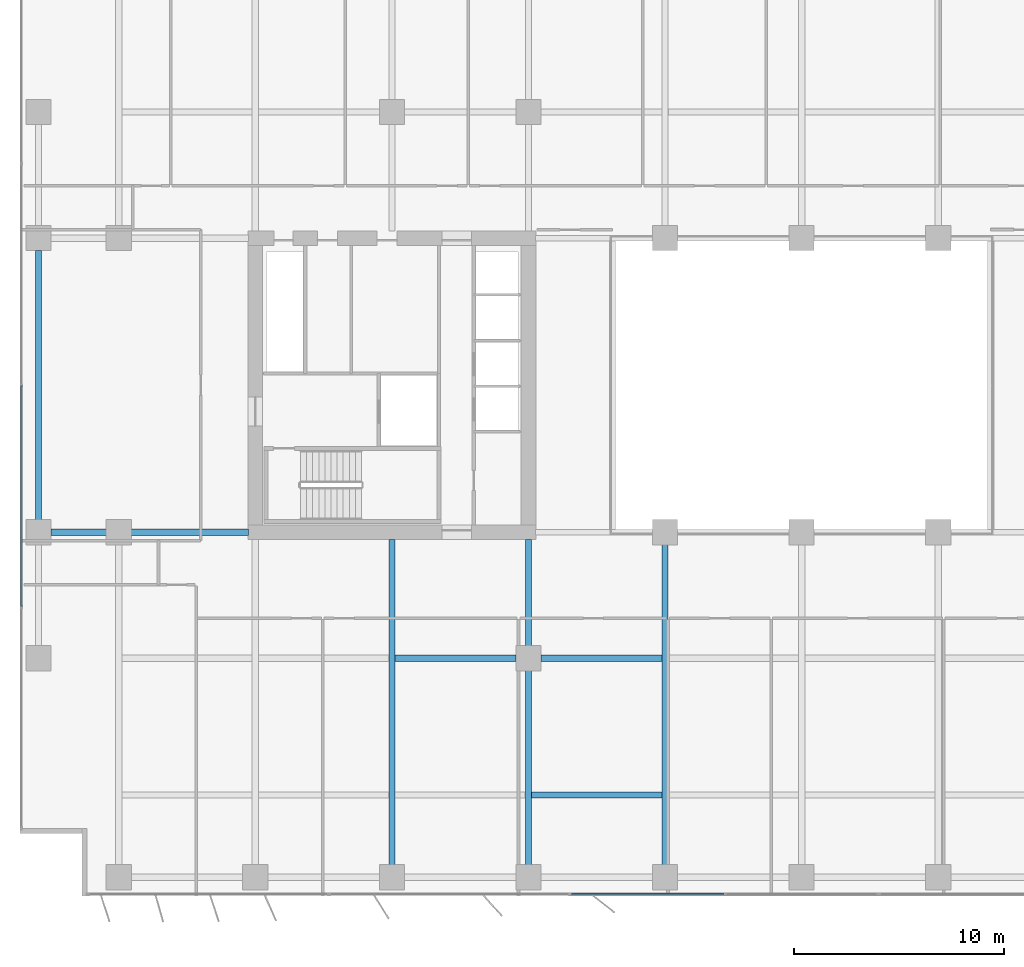
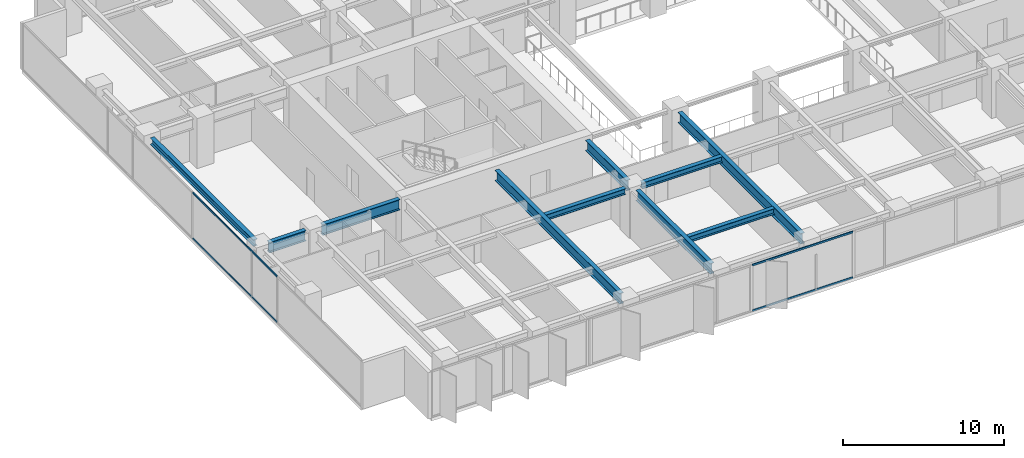
# One storey, part 3 of 20: 10 beams, 4 members, 2 elements without a shape of their own.
"""IFC4 building model written with IfcOpenShell, lengths in metres."""

from ifc_helpers import new_model, si_unit, direction, frame, origin, origin_2d, place, context, subcontext, project, spatial, rectangle, i_section, extrude, material, layer, layer_set, material_profile, profile_set, type_object, element, aggregate, save


model = new_model("IFC4")

# Units and contexts
model_context = context("Model", 3, precision=1e-05, world=origin(), true_north=direction((0.0, 1.0)))
body_context = subcontext(model_context, "Body", "Model", "MODEL_VIEW")
ifc_project = project(units=[si_unit("LENGTHUNIT", "METRE"), si_unit("AREAUNIT", "SQUARE_METRE"), si_unit("VOLUMEUNIT", "CUBIC_METRE"), si_unit("PLANEANGLEUNIT", "RADIAN"), si_unit("MASSUNIT", "GRAM", prefix="KILO")], contexts=[model_context])

# Site, building, storey
site_placement = place(None, origin())
site = spatial("IfcSite", under=ifc_project, at=site_placement, CompositionType="ELEMENT")
building_placement = place(site_placement, origin())
building = spatial("IfcBuilding", under=site, at=building_placement, Name="Putna Gate Headquarters", CompositionType="ELEMENT")
storey_placement = place(building_placement, frame((0.0, 0.0, 135.39990234375)))
storey = spatial("IfcBuildingStorey", under=building, at=storey_placement, Name="L33", CompositionType="ELEMENT", Elevation=135.39990234375)

# Beams
ifc_material_1 = material(Name="Steel S355J2", Category="steel")
ifc_material_profile_1 = material_profile(ifc_material_1, i_section(OverallWidth=0.300048828125, OverallDepth=0.800048828125, WebThickness=0.017578125, FlangeThickness=0.032958984375, at=origin_2d()), Name="Steel S355J2")
ifc_profile_set_1 = profile_set([ifc_material_profile_1], Name="Steel S355J2")
beam_type_1 = type_object("IfcBeamType", Name="BM-GIRD-P-HEB800", PredefinedType="USERDEFINED", material=ifc_profile_set_1)
beam_1_placement = place(storey_placement, frame((3.26806640625, 19.0, 3.1201171875), z_axis=(1.0, 0.0, 0.0), x_axis=(0.0, 1.0, 0.0)))
element("IfcBeam", 1, at=beam_1_placement, inside=storey, type_object=beam_type_1, Name="L33 West Wing Girder Y19-1", ObjectType="GIRDER", PredefinedType="USERDEFINED", context=body_context, shape_type="SweptSolid", body=[
    extrude(i_section(OverallWidth=0.300048828125, OverallDepth=0.800048828125, WebThickness=0.017578125, FlangeThickness=0.032958984375, at=origin_2d()), origin(), (0.0, 0.0, 1.0), 2.64404296875),
])
beam_2_placement = place(storey_placement, frame((7.087890625, 19.0, 3.1201171875), z_axis=(1.0, 0.0, 0.0), x_axis=(0.0, 1.0, 0.0)))
element("IfcBeam", 2, at=beam_2_placement, inside=storey, type_object=beam_type_1, Name="L33 West Wing Girder Y19-2", ObjectType="GIRDER", PredefinedType="USERDEFINED", context=body_context, shape_type="SweptSolid", body=[
    extrude(i_section(OverallWidth=0.300048828125, OverallDepth=0.800048828125, WebThickness=0.017578125, FlangeThickness=0.032958984375, at=origin_2d()), origin(), (0.0, 0.0, 1.0), 5.5771484375),
])
beam_3_placement = place(storey_placement, frame((19.5, 3.16796875, 3.1201171875), z_axis=(0.0, 1.0, 0.0), x_axis=(-1.0, 0.0, 0.0)))
element("IfcBeam", 3, at=beam_3_placement, inside=storey, type_object=beam_type_1, Name="L33 South Primary Girder X19", ObjectType="GIRDER", PredefinedType="USERDEFINED", context=body_context, shape_type="SweptSolid", body=[
    extrude(i_section(OverallWidth=0.300048828125, OverallDepth=0.800048828125, WebThickness=0.017578125, FlangeThickness=0.032958984375, at=origin_2d()), origin(), (0.0, 0.0, 1.0), 15.4970703125),
])
beam_4_placement = place(storey_placement, frame((26.0, 3.16796875, 3.1201171875), z_axis=(0.0, 1.0, 0.0), x_axis=(-1.0, 0.0, 0.0)))
element("IfcBeam", 4, at=beam_4_placement, inside=storey, type_object=beam_type_1, Name="L33 South Primary Girder X26-1", ObjectType="GIRDER", PredefinedType="USERDEFINED", context=body_context, shape_type="SweptSolid", body=[
    extrude(i_section(OverallWidth=0.300048828125, OverallDepth=0.800048828125, WebThickness=0.017578125, FlangeThickness=0.032958984375, at=origin_2d()), origin(), (0.0, 0.0, 1.0), 9.244140625),
])
beam_5_placement = place(storey_placement, frame((26.0, 13.587890625, 3.1201171875), z_axis=(0.0, 1.0, 0.0), x_axis=(-1.0, 0.0, 0.0)))
element("IfcBeam", 5, at=beam_5_placement, inside=storey, type_object=beam_type_1, Name="L33 South Primary Girder X26-2", ObjectType="GIRDER", PredefinedType="USERDEFINED", context=body_context, shape_type="SweptSolid", body=[
    extrude(i_section(OverallWidth=0.300048828125, OverallDepth=0.800048828125, WebThickness=0.017578125, FlangeThickness=0.032958984375, at=origin_2d()), origin(), (0.0, 0.0, 1.0), 5.0771484375),
])
beam_6_placement = place(storey_placement, frame((32.5, 3.16796875, 3.1201171875), z_axis=(0.0, 1.0, 0.0), x_axis=(-1.0, 0.0, 0.0)))
element("IfcBeam", 6, at=beam_6_placement, inside=storey, type_object=beam_type_1, Name="L33 South Primary Girder X32", ObjectType="GIRDER", PredefinedType="USERDEFINED", context=body_context, shape_type="SweptSolid", body=[
    extrude(i_section(OverallWidth=0.300048828125, OverallDepth=0.800048828125, WebThickness=0.017578125, FlangeThickness=0.032958984375, at=origin_2d()), origin(), (0.0, 0.0, 1.0), 15.244140625),
])
ifc_material_profile_2 = material_profile(ifc_material_1, i_section(OverallWidth=0.300048828125, OverallDepth=0.449951171875, WebThickness=0.013916015625, FlangeThickness=0.02587890625, at=origin_2d()), Name="Steel S355J2")
ifc_profile_set_2 = profile_set([ifc_material_profile_2], Name="Steel S355J2")
beam_type_2 = type_object("IfcBeamType", Name="BM-GIRD-Z5-HEB450", PredefinedType="USERDEFINED", material=ifc_profile_set_2)
beam_7_placement = place(storey_placement, frame((19.654052734375, 13.0, 3.295166015625), z_axis=(1.0, 0.0, 0.0), x_axis=(0.0, 1.0, 0.0)))
element("IfcBeam", 7, at=beam_7_placement, inside=storey, type_object=beam_type_2, Name="L33 South Secondary Beam 3", ObjectType="GIRDER", PredefinedType="USERDEFINED", context=body_context, shape_type="SweptSolid", body=[
    extrude(i_section(OverallWidth=0.300048828125, OverallDepth=0.449951171875, WebThickness=0.013916015625, FlangeThickness=0.02587890625, at=origin_2d()), origin(), (0.0, 0.0, 1.0), 5.758056640625),
])
beam_8_placement = place(storey_placement, frame((26.154052734375, 6.5, 3.295166015625), z_axis=(1.0, 0.0, 0.0), x_axis=(0.0, 1.0, 0.0)))
element("IfcBeam", 8, at=beam_8_placement, inside=storey, type_object=beam_type_2, Name="L33 South Secondary Beam 4", ObjectType="GIRDER", PredefinedType="USERDEFINED", context=body_context, shape_type="SweptSolid", body=[
    extrude(i_section(OverallWidth=0.300048828125, OverallDepth=0.449951171875, WebThickness=0.013916015625, FlangeThickness=0.02587890625, at=origin_2d()), origin(), (0.0, 0.0, 1.0), 6.19189453125),
])
beam_9_placement = place(storey_placement, frame((26.587890625, 13.0, 3.295166015625), z_axis=(1.0, 0.0, 0.0), x_axis=(0.0, 1.0, 0.0)))
element("IfcBeam", 9, at=beam_9_placement, inside=storey, type_object=beam_type_2, Name="L33 South Secondary Beam 4", ObjectType="GIRDER", PredefinedType="USERDEFINED", context=body_context, shape_type="SweptSolid", body=[
    extrude(i_section(OverallWidth=0.300048828125, OverallDepth=0.449951171875, WebThickness=0.013916015625, FlangeThickness=0.02587890625, at=origin_2d()), origin(), (0.0, 0.0, 1.0), 5.758056640625),
])
ifc_material_profile_3 = material_profile(ifc_material_1, i_section(OverallWidth=0.300048828125, OverallDepth=0.489990234375, WebThickness=0.011962890625, FlangeThickness=0.02294921875, at=origin_2d()), Name="Steel S355J2")
ifc_profile_set_3 = profile_set([ifc_material_profile_3], Name="Steel S355J2")
beam_type_3 = type_object("IfcBeamType", Name="BM-SPAN-Z2-HEA500", PredefinedType="SPANDREL", material=ifc_profile_set_3)
beam_10_placement = place(storey_placement, frame((2.679931640625, 19.587890625, 3.275146484375), z_axis=(0.0, 1.0, 0.0), x_axis=(-1.0, 0.0, 0.0)))
element("IfcBeam", 10, at=beam_10_placement, inside=storey, type_object=beam_type_3, Name="L33 W End Spandrel 2", PredefinedType="SPANDREL", context=body_context, shape_type="SweptSolid", body=[
    extrude(i_section(OverallWidth=0.300048828125, OverallDepth=0.489990234375, WebThickness=0.011962890625, FlangeThickness=0.02294921875, at=origin_2d()), origin(), (0.0, 0.0, 1.0), 12.82421875),
])

# Curtain wall, members
ifc_material_2 = material(Name="Anodised bronze aluminium curtain wall", Category="aluminium")
ifc_layer_1 = layer(ifc_material_2, 0.159912109375)
ifc_layer_set_1 = layer_set([ifc_layer_1], Name="Anodised bronze aluminium curtain wall")
curtain_wall_type_1 = type_object("IfcCurtainWallType", Name="CW-SYS-Z2", PredefinedType="USERDEFINED", material=ifc_layer_set_1)
curtain_wall_1_placement = place(storey_placement, origin())
curtain_wall_1 = element("IfcCurtainWall", 11, at=curtain_wall_1_placement, inside=storey, type_object=curtain_wall_type_1, Name="L33 West Curtain Wall", ObjectType="STICK CURTAIN WALL", PredefinedType="USERDEFINED")
ifc_material_3 = material(Name="Anodised bronze aluminium EN AW-6060", Category="aluminium")
ifc_material_profile_4 = material_profile(ifc_material_3, rectangle(XDim=0.06494140625, YDim=0.1201171875, at=origin_2d()), Name="Anodised bronze aluminium EN AW-6060")
ifc_profile_set_4 = profile_set([ifc_material_profile_4], Name="Anodised bronze aluminium EN AW-6060")
member_type_1 = type_object("IfcMemberType", Name="TRAN-CWT-2", PredefinedType="USERDEFINED", material=ifc_profile_set_4)
member_1_placement = place(storey_placement, frame((1.8798828125, 15.482421875, 0.03271484375), z_axis=(0.0, 1.0, 0.0), x_axis=(-1.0, 0.0, 0.0)))
member_1 = element("IfcMember", 12, at=member_1_placement, type_object=member_type_1, Name="CWS-2 transom 2.1", ObjectType="TRANSOM", PredefinedType="USERDEFINED", context=body_context, shape_type="SweptSolid", body=[
    extrude(rectangle(XDim=0.06494140625, YDim=0.1201171875, at=origin_2d()), origin(), (0.0, 0.0, 1.0), 10.485107421875),
])
member_2_placement = place(storey_placement, frame((1.8798828125, 15.482421875, 3.487548828125), z_axis=(0.0, 1.0, 0.0), x_axis=(-1.0, 0.0, 0.0)))
member_2 = element("IfcMember", 13, at=member_2_placement, type_object=member_type_1, Name="CWS-2 transom 2.2", ObjectType="TRANSOM", PredefinedType="USERDEFINED", context=body_context, shape_type="SweptSolid", body=[
    extrude(rectangle(XDim=0.06494140625, YDim=0.1201171875, at=origin_2d()), origin(), (0.0, 0.0, 1.0), 10.485107421875),
])
aggregate(curtain_wall_1, [member_1, member_2])

ifc_layer_2 = layer(ifc_material_2, 0.179931640625)
ifc_layer_set_2 = layer_set([ifc_layer_2], Name="Anodised bronze aluminium curtain wall")
curtain_wall_type_2 = type_object("IfcCurtainWallType", Name="CW-SYS-ATR", PredefinedType="USERDEFINED", material=ifc_layer_set_2)
curtain_wall_2_placement = place(storey_placement, origin())
curtain_wall_2 = element("IfcCurtainWall", 14, at=curtain_wall_2_placement, inside=storey, type_object=curtain_wall_type_2, Name="L33 South Atrium Clear Glazing", ObjectType="ATRIUM GLAZING", PredefinedType="USERDEFINED")
ifc_material_profile_5 = material_profile(ifc_material_3, rectangle(XDim=0.070068359375, YDim=0.139892578125, at=origin_2d()), Name="Anodised bronze aluminium EN AW-6060")
ifc_profile_set_5 = profile_set([ifc_material_profile_5], Name="Anodised bronze aluminium EN AW-6060")
member_type_2 = type_object("IfcMemberType", Name="TRAN-CWT-AT", PredefinedType="USERDEFINED", material=ifc_profile_set_5)
member_3_placement = place(storey_placement, frame((28.070068359375, 1.780029296875, 0.03515625), z_axis=(1.0, 0.0, 0.0), x_axis=(0.0, 1.0, 0.0)))
member_3 = element("IfcMember", 15, at=member_3_placement, type_object=member_type_2, Name="CWS-AT transom 1.1", ObjectType="TRANSOM", PredefinedType="USERDEFINED", context=body_context, shape_type="SweptSolid", body=[
    extrude(rectangle(XDim=0.070068359375, YDim=0.139892578125, at=origin_2d()), origin(), (0.0, 0.0, 1.0), 7.228271484375),
])
member_4_placement = place(storey_placement, frame((28.070068359375, 1.780029296875, 3.485107421875), z_axis=(1.0, 0.0, 0.0), x_axis=(0.0, 1.0, 0.0)))
member_4 = element("IfcMember", 16, at=member_4_placement, type_object=member_type_2, Name="CWS-AT transom 1.2", ObjectType="TRANSOM", PredefinedType="USERDEFINED", context=body_context, shape_type="SweptSolid", body=[
    extrude(rectangle(XDim=0.070068359375, YDim=0.139892578125, at=origin_2d()), origin(), (0.0, 0.0, 1.0), 7.228271484375),
])
aggregate(curtain_wall_2, [member_3, member_4])

save(model, "model.ifc")
